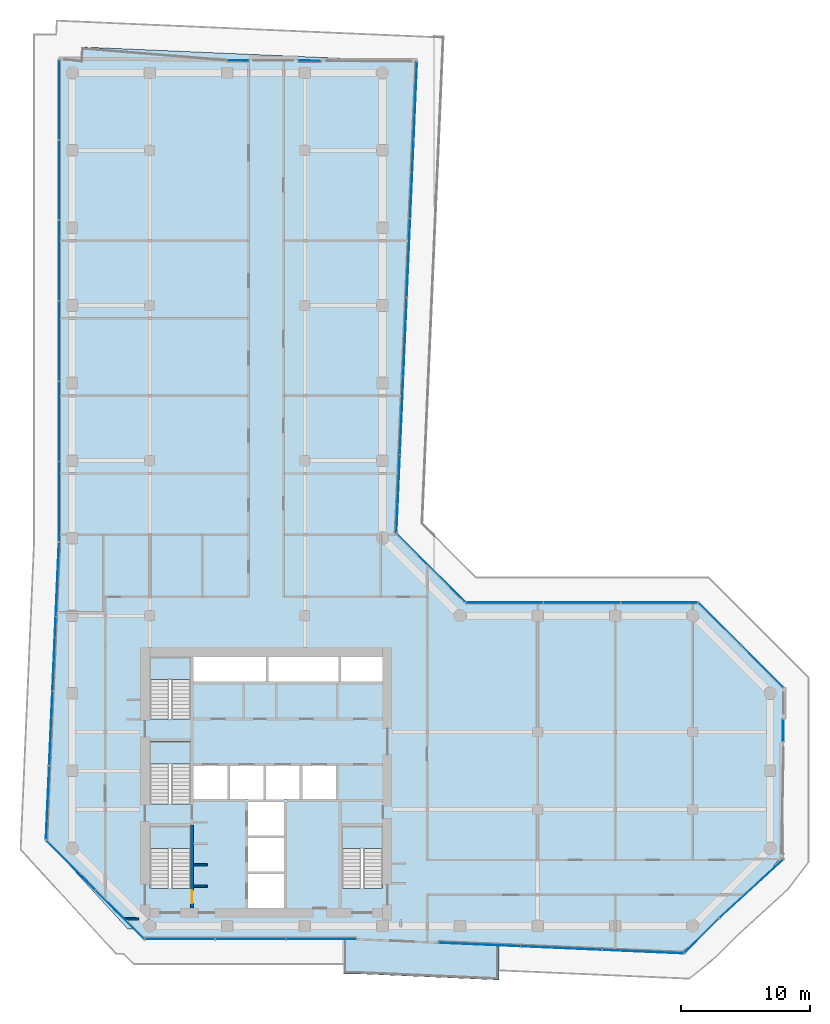
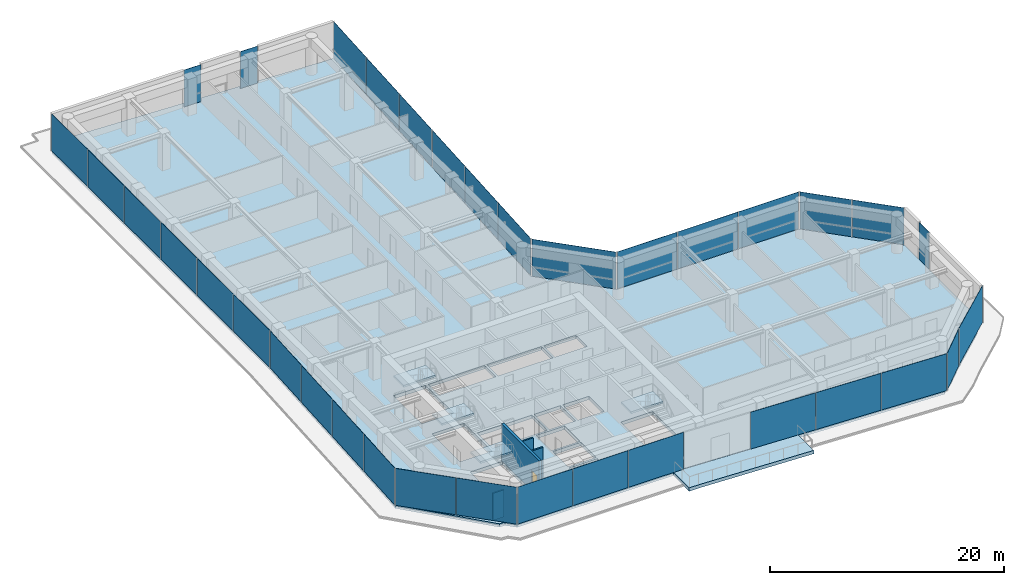
# One storey, part 19 of 25: 35 plates, 6 slabs, 4 walls, 1 door, 1 opening, 18 elements without a shape of their own.
"""IFC4 building model written with IfcOpenShell, lengths in metres."""

from ifc_helpers import new_model, si_unit, direction, frame, frame_2d, origin, origin_2d, place, context, subcontext, project, spatial, polyline, rectangle, outline, extrude, material, layer, layer_set, type_object, element, fill, aggregate, save


model = new_model("IFC4")

# Units and contexts
model_context = context("Model", 3, precision=1e-05, world=origin(), true_north=direction((0.0, 1.0)))
body_context = subcontext(model_context, "Body", "Model", "MODEL_VIEW")
ifc_project = project(units=[si_unit("LENGTHUNIT", "METRE"), si_unit("AREAUNIT", "SQUARE_METRE"), si_unit("VOLUMEUNIT", "CUBIC_METRE"), si_unit("PLANEANGLEUNIT", "RADIAN"), si_unit("MASSUNIT", "GRAM", prefix="KILO")], contexts=[model_context])

# Site, building, storey
site_placement = place(None, origin())
site = spatial("IfcSite", under=ifc_project, at=site_placement, CompositionType="ELEMENT")
building_placement = place(site_placement, origin())
building = spatial("IfcBuilding", under=site, at=building_placement, Name="Welwitschia Terrace Campus", CompositionType="ELEMENT")
storey_placement = place(building_placement, frame((0.0, 0.0, 121.39990234375)))
storey = spatial("IfcBuildingStorey", under=building, at=storey_placement, Name="L27", CompositionType="ELEMENT", Elevation=121.39990234375)

# Curtain wall, plates
ifc_material_1 = material(Name="Bronze anodised aluminium", Category="aluminium")
ifc_layer_1 = layer(ifc_material_1, 0.1201171875)
ifc_layer_set_1 = layer_set([ifc_layer_1], Name="Bronze anodised aluminium")
curtain_wall_type = type_object("IfcCurtainWallType", Name="Curtain wall CW2 tower 6000", PredefinedType="NOTDEFINED", material=ifc_layer_set_1)
curtain_wall_1_placement = place(storey_placement, origin())
curtain_wall_1 = element("IfcCurtainWall", 1, at=curtain_wall_1_placement, inside=storey, type_object=curtain_wall_type, Name="CW L27.0.0", PredefinedType="NOTDEFINED")
ifc_material_2 = material(Name="Tinted bronze-grey glass", Category="glass")
ifc_layer_2 = layer(ifc_material_2, 0.028076171875)
ifc_layer_set_2 = layer_set([ifc_layer_2], Name="Tinted bronze-grey glass")
plate_type = type_object("IfcPlateType", Name="Glass panel 28 tinted", PredefinedType="CURTAIN_PANEL", material=ifc_layer_set_2)
plate_1_placement = place(storey_placement, frame((-1.156494140625, 30.799072265625, 0.0), z_axis=(0.0, 0.0, 1.0), x_axis=(-0.043619387365, -0.999048221582, 0.0)))
plate_1 = element("IfcPlate", 2, at=plate_1_placement, type_object=plate_type, Name="Panel L27.0.0.0", PredefinedType="CURTAIN_PANEL", context=body_context, shape_type="SweptSolid", body=[
    extrude(rectangle(XDim=5.682373046875, YDim=0.028076171875, at=origin_2d()), origin(), (0.0, 0.0, 1.0), 3.85009765625),
])
plate_2_placement = place(storey_placement, frame((-1.40771484375, 25.047119140625, 0.0), z_axis=(0.0, 0.0, 1.0), x_axis=(-0.043619387365, -0.999048221582, 0.0)))
plate_2 = element("IfcPlate", 3, at=plate_2_placement, type_object=plate_type, Name="Panel L27.0.0.1", PredefinedType="CURTAIN_PANEL", context=body_context, shape_type="SweptSolid", body=[
    extrude(rectangle(XDim=5.71240234375, YDim=0.028076171875, at=origin_2d()), origin(), (0.0, 0.0, 1.0), 3.85009765625),
])
plate_3_placement = place(storey_placement, frame((-1.659423828125, 19.2802734375, 0.0), z_axis=(0.0, 0.0, 1.0), x_axis=(-0.043619387365, -0.999048221582, 0.0)))
plate_3 = element("IfcPlate", 4, at=plate_3_placement, type_object=plate_type, Name="Panel L27.0.0.2", PredefinedType="CURTAIN_PANEL", context=body_context, shape_type="SweptSolid", body=[
    extrude(rectangle(XDim=5.71240234375, YDim=0.028076171875, at=origin_2d()), origin(), (0.0, 0.0, 1.0), 3.85009765625),
])
plate_4_placement = place(storey_placement, frame((-1.91064453125, 13.5283203125, 0.0), z_axis=(0.0, 0.0, 1.0), x_axis=(-0.043619387365, -0.999048221582, 0.0)))
plate_4 = element("IfcPlate", 5, at=plate_4_placement, type_object=plate_type, Name="Panel L27.0.0.3", PredefinedType="CURTAIN_PANEL", context=body_context, shape_type="SweptSolid", body=[
    extrude(rectangle(XDim=5.682373046875, YDim=0.028076171875, at=origin_2d()), origin(), (0.0, 0.0, 1.0), 3.85009765625),
])
aggregate(curtain_wall_1, [plate_1, plate_2, plate_3, plate_4])

curtain_wall_2_placement = place(storey_placement, origin())
curtain_wall_2 = element("IfcCurtainWall", 6, at=curtain_wall_2_placement, inside=storey, type_object=curtain_wall_type, Name="CW L27.1.0", PredefinedType="NOTDEFINED")
plate_5_placement = place(storey_placement, frame((-0.1240234375, 8.704345703125, 0.0), z_axis=(0.0, 0.0, 1.0), x_axis=(0.70481161657, -0.7093945201, 0.0)))
plate_5 = element("IfcPlate", 7, at=plate_5_placement, type_object=plate_type, Name="Panel L27.1.0.0", PredefinedType="CURTAIN_PANEL", context=body_context, shape_type="SweptSolid", body=[
    extrude(rectangle(XDim=5.30908203125, YDim=0.028076171875, at=origin_2d()), origin(), (0.0, 0.0, 1.0), 3.85009765625),
])
plate_6_placement = place(storey_placement, frame((3.66015625, 4.895751953125, 0.0), z_axis=(0.0, 0.0, 1.0), x_axis=(0.70481161657, -0.7093945201, 0.0)))
plate_6 = element("IfcPlate", 8, at=plate_6_placement, type_object=plate_type, Name="Panel L27.1.0.1", PredefinedType="CURTAIN_PANEL", context=body_context, shape_type="SweptSolid", body=[
    extrude(rectangle(XDim=5.30908203125, YDim=0.028076171875, at=origin_2d()), origin(), (0.0, 0.0, 1.0), 3.85009765625),
])
aggregate(curtain_wall_2, [plate_5, plate_6])

curtain_wall_3_placement = place(storey_placement, origin())
curtain_wall_3 = element("IfcCurtainWall", 9, at=curtain_wall_3_placement, inside=storey, type_object=curtain_wall_type, Name="CW L27.2.0", PredefinedType="NOTDEFINED")
plate_7_placement = place(storey_placement, frame((8.329345703125, 2.969970703125, 0.0), z_axis=(0.0, 0.0, 1.0), x_axis=(1.0, 0.0, 0.0)))
plate_7 = element("IfcPlate", 10, at=plate_7_placement, type_object=plate_type, Name="Panel L27.2.0.0", PredefinedType="CURTAIN_PANEL", context=body_context, shape_type="SweptSolid", body=[
    extrude(rectangle(XDim=5.39208984375, YDim=0.028076171875, at=origin_2d()), origin(), (0.0, 0.0, 1.0), 3.85009765625),
])
plate_8_placement = place(storey_placement, frame((13.796630859375, 2.969970703125, 0.0), z_axis=(0.0, 0.0, 1.0), x_axis=(1.0, 0.0, 0.0)))
plate_8 = element("IfcPlate", 11, at=plate_8_placement, type_object=plate_type, Name="Panel L27.2.0.1", PredefinedType="CURTAIN_PANEL", context=body_context, shape_type="SweptSolid", body=[
    extrude(rectangle(XDim=5.422119140625, YDim=0.028076171875, at=origin_2d()), origin(), (0.0, 0.0, 1.0), 3.85009765625),
])
plate_9_placement = place(storey_placement, frame((19.263671875, 2.969970703125, 0.0), z_axis=(0.0, 0.0, 1.0), x_axis=(1.0, 0.0, 0.0)))
plate_9 = element("IfcPlate", 12, at=plate_9_placement, type_object=plate_type, Name="Panel L27.2.0.2", PredefinedType="CURTAIN_PANEL", context=body_context, shape_type="SweptSolid", body=[
    extrude(rectangle(XDim=5.39208984375, YDim=0.028076171875, at=origin_2d()), origin(), (0.0, 0.0, 1.0), 3.85009765625),
])
aggregate(curtain_wall_3, [plate_7, plate_8, plate_9])

curtain_wall_4_placement = place(storey_placement, origin())
curtain_wall_4 = element("IfcCurtainWall", 13, at=curtain_wall_4_placement, inside=storey, type_object=curtain_wall_type, Name="CW L27.3.1", PredefinedType="NOTDEFINED")
plate_10_placement = place(storey_placement, frame((31.52294921875, 2.55517578125, 0.0), z_axis=(0.0, 0.0, 1.0), x_axis=(0.999048221582, -0.043619387365, 0.0)))
plate_10 = element("IfcPlate", 14, at=plate_10_placement, type_object=plate_type, Name="Panel L27.3.1.0", PredefinedType="CURTAIN_PANEL", context=body_context, shape_type="SweptSolid", body=[
    extrude(rectangle(XDim=6.24169921875, YDim=0.028076171875, at=origin_2d()), origin(), (0.0, 0.0, 1.0), 3.85009765625),
])
plate_11_placement = place(storey_placement, frame((37.83349609375, 2.279541015625, 0.0), z_axis=(0.0, 0.0, 1.0), x_axis=(0.999048221582, -0.043619387365, 0.0)))
plate_11 = element("IfcPlate", 15, at=plate_11_placement, type_object=plate_type, Name="Panel L27.3.1.1", PredefinedType="CURTAIN_PANEL", context=body_context, shape_type="SweptSolid", body=[
    extrude(rectangle(XDim=6.271484375, YDim=0.028076171875, at=origin_2d()), origin(), (0.0, 0.0, 1.0), 3.85009765625),
])
plate_12_placement = place(storey_placement, frame((44.14404296875, 2.00390625, 0.0), z_axis=(0.0, 0.0, 1.0), x_axis=(0.999048221582, -0.043619387365, 0.0)))
plate_12 = element("IfcPlate", 16, at=plate_12_placement, type_object=plate_type, Name="Panel L27.3.1.2", PredefinedType="CURTAIN_PANEL", context=body_context, shape_type="SweptSolid", body=[
    extrude(rectangle(XDim=6.24169921875, YDim=0.028076171875, at=origin_2d()), origin(), (0.0, 0.0, 1.0), 3.85009765625),
])
aggregate(curtain_wall_4, [plate_10, plate_11, plate_12])

# Curtain wall, plate
curtain_wall_5_placement = place(storey_placement, origin())
curtain_wall_5 = element("IfcCurtainWall", 17, at=curtain_wall_5_placement, inside=storey, type_object=curtain_wall_type, Name="CW L27.4.0", PredefinedType="NOTDEFINED")
plate_13_placement = place(storey_placement, frame((48.6845703125, 3.22802734375, 0.0), z_axis=(0.0, 0.0, 1.0), x_axis=(0.707106781187, 0.707106781187, 0.0)))
plate_13 = element("IfcPlate", 18, at=plate_13_placement, type_object=plate_type, Name="Panel L27.4.0.0", PredefinedType="CURTAIN_PANEL", context=body_context, shape_type="SweptSolid", body=[
    extrude(rectangle(XDim=3.734375, YDim=0.028076171875, at=origin_2d()), origin(), (0.0, 0.0, 1.0), 3.85009765625),
])
aggregate(curtain_wall_5, [plate_13])

curtain_wall_6_placement = place(storey_placement, origin())
curtain_wall_6 = element("IfcCurtainWall", 19, at=curtain_wall_6_placement, inside=storey, type_object=curtain_wall_type, Name="CW L27.5.0", PredefinedType="NOTDEFINED")
plate_14_placement = place(storey_placement, frame((52.53857421875, 6.87353515625, 0.0), z_axis=(0.0, 0.0, 1.0), x_axis=(0.73727733681, 0.675590207616, 0.0)))
plate_14 = element("IfcPlate", 20, at=plate_14_placement, type_object=plate_type, Name="Panel L27.5.0.0", PredefinedType="CURTAIN_PANEL", context=body_context, shape_type="SweptSolid", body=[
    extrude(rectangle(XDim=6.63818359375, YDim=0.028076171875, at=origin_2d()), origin(), (0.0, 0.0, 1.0), 3.85009765625),
])
aggregate(curtain_wall_6, [plate_14])

curtain_wall_7_placement = place(storey_placement, origin())
curtain_wall_7 = element("IfcCurtainWall", 21, at=curtain_wall_7_placement, inside=storey, type_object=curtain_wall_type, Name="CW L27.6.S0", PredefinedType="NOTDEFINED")
plate_15_placement = place(storey_placement, frame((55.030029296875, 19.109130859375, 0.0), z_axis=(0.0, 0.0, 1.0), x_axis=(0.0, 1.0, 0.0)))
plate_15 = element("IfcPlate", 22, at=plate_15_placement, type_object=plate_type, Name="Panel L27.6.S0.0", PredefinedType="CURTAIN_PANEL", context=body_context, shape_type="SweptSolid", body=[
    extrude(rectangle(XDim=1.679931640625, YDim=0.028076171875, at=origin_2d()), origin(), (0.0, 0.0, 1.0), 3.85009765625),
])
aggregate(curtain_wall_7, [plate_15])

# Curtain wall, plates
curtain_wall_8_placement = place(storey_placement, origin())
curtain_wall_8 = element("IfcCurtainWall", 23, at=curtain_wall_8_placement, inside=storey, type_object=curtain_wall_type, Name="CW L27.7.0", PredefinedType="NOTDEFINED")
plate_16_placement = place(storey_placement, frame((53.36865234375, 24.088134765625, 0.0), z_axis=(0.0, 0.0, 1.0), x_axis=(-0.707106781187, 0.707106781187, 0.0)))
plate_16 = element("IfcPlate", 24, at=plate_16_placement, type_object=plate_type, Name="Panel L27.7.0.0", PredefinedType="CURTAIN_PANEL", context=body_context, shape_type="SweptSolid", body=[
    extrude(rectangle(XDim=4.579345703125, YDim=0.028076171875, at=origin_2d()), origin(), (0.0, 0.0, 1.0), 3.85009765625),
])
plate_17_placement = place(storey_placement, frame((50.088134765625, 27.36865234375, 0.0), z_axis=(0.0, 0.0, 1.0), x_axis=(-0.707106781187, 0.707106781187, 0.0)))
plate_17 = element("IfcPlate", 25, at=plate_17_placement, type_object=plate_type, Name="Panel L27.7.0.1", PredefinedType="CURTAIN_PANEL", context=body_context, shape_type="SweptSolid", body=[
    extrude(rectangle(XDim=4.579345703125, YDim=0.028076171875, at=origin_2d()), origin(), (0.0, 0.0, 1.0), 3.85009765625),
])
aggregate(curtain_wall_8, [plate_16, plate_17])

curtain_wall_9_placement = place(storey_placement, origin())
curtain_wall_9 = element("IfcCurtainWall", 26, at=curtain_wall_9_placement, inside=storey, type_object=curtain_wall_type, Name="CW L27.8.0", PredefinedType="NOTDEFINED")
plate_18_placement = place(storey_placement, frame((45.41162109375, 29.030029296875, 0.0), z_axis=(0.0, 0.0, 1.0), x_axis=(-1.0, 0.0, 0.0)))
plate_18 = element("IfcPlate", 27, at=plate_18_placement, type_object=plate_type, Name="Panel L27.8.0.0", PredefinedType="CURTAIN_PANEL", context=body_context, shape_type="SweptSolid", body=[
    extrude(rectangle(XDim=5.909912109375, YDim=0.028076171875, at=origin_2d()), origin(), (0.0, 0.0, 1.0), 3.85009765625),
])
plate_19_placement = place(storey_placement, frame((39.4267578125, 29.030029296875, 0.0), z_axis=(0.0, 0.0, 1.0), x_axis=(-1.0, 0.0, 0.0)))
plate_19 = element("IfcPlate", 28, at=plate_19_placement, type_object=plate_type, Name="Panel L27.8.0.1", PredefinedType="CURTAIN_PANEL", context=body_context, shape_type="SweptSolid", body=[
    extrude(rectangle(XDim=5.93994140625, YDim=0.028076171875, at=origin_2d()), origin(), (0.0, 0.0, 1.0), 3.85009765625),
])
plate_20_placement = place(storey_placement, frame((33.441650390625, 29.030029296875, 0.0), z_axis=(0.0, 0.0, 1.0), x_axis=(-1.0, 0.0, 0.0)))
plate_20 = element("IfcPlate", 29, at=plate_20_placement, type_object=plate_type, Name="Panel L27.8.0.2", PredefinedType="CURTAIN_PANEL", context=body_context, shape_type="SweptSolid", body=[
    extrude(rectangle(XDim=5.909912109375, YDim=0.028076171875, at=origin_2d()), origin(), (0.0, 0.0, 1.0), 3.85009765625),
])
aggregate(curtain_wall_9, [plate_18, plate_19, plate_20])

# Curtain wall, plate
curtain_wall_10_placement = place(storey_placement, origin())
curtain_wall_10 = element("IfcCurtainWall", 30, at=curtain_wall_10_placement, inside=storey, type_object=curtain_wall_type, Name="CW L27.9.0", PredefinedType="NOTDEFINED")
plate_21_placement = place(storey_placement, frame((27.75537109375, 31.701171875, 0.0), z_axis=(0.0, 0.0, 1.0), x_axis=(-0.707106781187, 0.707106781187, 0.0)))
plate_21 = element("IfcPlate", 31, at=plate_21_placement, type_object=plate_type, Name="Panel L27.9.0.0", PredefinedType="CURTAIN_PANEL", context=body_context, shape_type="SweptSolid", body=[
    extrude(rectangle(XDim=7.435302734375, YDim=0.028076171875, at=origin_2d()), origin(), (0.0, 0.0, 1.0), 3.85009765625),
])
aggregate(curtain_wall_10, [plate_21])

# Curtain wall, plates
curtain_wall_11_placement = place(storey_placement, origin())
curtain_wall_11 = element("IfcCurtainWall", 32, at=curtain_wall_11_placement, inside=storey, type_object=curtain_wall_type, Name="CW L27.10.0", PredefinedType="NOTDEFINED")
plate_22_placement = place(storey_placement, frame((25.2177734375, 37.4306640625, 0.0), z_axis=(0.0, 0.0, 1.0), x_axis=(0.043619387365, 0.999048221582, 0.0)))
plate_22 = element("IfcPlate", 33, at=plate_22_placement, type_object=plate_type, Name="Panel L27.10.0.0", PredefinedType="CURTAIN_PANEL", context=body_context, shape_type="SweptSolid", body=[
    extrude(rectangle(XDim=6.002197265625, YDim=0.028076171875, at=origin_2d()), origin(), (0.0, 0.0, 1.0), 3.85009765625),
])
plate_23_placement = place(storey_placement, frame((25.48291015625, 43.502197265625, 0.0), z_axis=(0.0, 0.0, 1.0), x_axis=(0.043619387365, 0.999048221582, 0.0)))
plate_23 = element("IfcPlate", 34, at=plate_23_placement, type_object=plate_type, Name="Panel L27.10.0.1", PredefinedType="CURTAIN_PANEL", context=body_context, shape_type="SweptSolid", body=[
    extrude(rectangle(XDim=6.0322265625, YDim=0.028076171875, at=origin_2d()), origin(), (0.0, 0.0, 1.0), 3.85009765625),
])
plate_24_placement = place(storey_placement, frame((25.74853515625, 49.588623046875, 0.0), z_axis=(0.0, 0.0, 1.0), x_axis=(0.043619387365, 0.999048221582, 0.0)))
plate_24 = element("IfcPlate", 35, at=plate_24_placement, type_object=plate_type, Name="Panel L27.10.0.2", PredefinedType="CURTAIN_PANEL", context=body_context, shape_type="SweptSolid", body=[
    extrude(rectangle(XDim=6.0322265625, YDim=0.028076171875, at=origin_2d()), origin(), (0.0, 0.0, 1.0), 3.85009765625),
])
plate_25_placement = place(storey_placement, frame((26.014404296875, 55.675048828125, 0.0), z_axis=(0.0, 0.0, 1.0), x_axis=(0.043619387365, 0.999048221582, 0.0)))
plate_25 = element("IfcPlate", 36, at=plate_25_placement, type_object=plate_type, Name="Panel L27.10.0.3", PredefinedType="CURTAIN_PANEL", context=body_context, shape_type="SweptSolid", body=[
    extrude(rectangle(XDim=6.0322265625, YDim=0.028076171875, at=origin_2d()), origin(), (0.0, 0.0, 1.0), 3.85009765625),
])
plate_26_placement = place(storey_placement, frame((26.280029296875, 61.76171875, 0.0), z_axis=(0.0, 0.0, 1.0), x_axis=(0.043619387365, 0.999048221582, 0.0)))
plate_26 = element("IfcPlate", 37, at=plate_26_placement, type_object=plate_type, Name="Panel L27.10.0.4", PredefinedType="CURTAIN_PANEL", context=body_context, shape_type="SweptSolid", body=[
    extrude(rectangle(XDim=6.0322265625, YDim=0.028076171875, at=origin_2d()), origin(), (0.0, 0.0, 1.0), 3.85009765625),
])
plate_27_placement = place(storey_placement, frame((26.545166015625, 67.833251953125, 0.0), z_axis=(0.0, 0.0, 1.0), x_axis=(0.043619387365, 0.999048221582, 0.0)))
plate_27 = element("IfcPlate", 38, at=plate_27_placement, type_object=plate_type, Name="Panel L27.10.0.5", PredefinedType="CURTAIN_PANEL", context=body_context, shape_type="SweptSolid", body=[
    extrude(rectangle(XDim=6.002197265625, YDim=0.028076171875, at=origin_2d()), origin(), (0.0, 0.0, 1.0), 3.85009765625),
])
aggregate(curtain_wall_11, [plate_22, plate_23, plate_24, plate_25, plate_26, plate_27])

# Curtain wall, plate
curtain_wall_12_placement = place(storey_placement, origin())
curtain_wall_12 = element("IfcCurtainWall", 39, at=curtain_wall_12_placement, inside=storey, type_object=curtain_wall_type, Name="CW L27.11.S0", PredefinedType="NOTDEFINED")
plate_28_placement = place(storey_placement, frame((18.3662109375, 70.935546875, 0.0), z_axis=(0.0, 0.0, 1.0), x_axis=(-0.999985881909, 0.005313754186, 0.0)))
plate_28 = element("IfcPlate", 40, at=plate_28_placement, type_object=plate_type, Name="Panel L27.11.S0.0", PredefinedType="CURTAIN_PANEL", context=body_context, shape_type="SweptSolid", body=[
    extrude(rectangle(XDim=1.679931640625, YDim=0.028076171875, at=origin_2d()), origin(), (0.0, 0.0, 1.0), 3.85009765625),
])
aggregate(curtain_wall_12, [plate_28])

curtain_wall_13_placement = place(storey_placement, origin())
curtain_wall_13 = element("IfcCurtainWall", 41, at=curtain_wall_13_placement, inside=storey, type_object=curtain_wall_type, Name="CW L27.11.S1", PredefinedType="NOTDEFINED")
plate_29_placement = place(storey_placement, frame((12.824462890625, 70.965087890625, 0.0), z_axis=(0.0, 0.0, 1.0), x_axis=(-0.999985881909, 0.005313754186, 0.0)))
plate_29 = element("IfcPlate", 42, at=plate_29_placement, type_object=plate_type, Name="Panel L27.11.S1.0", PredefinedType="CURTAIN_PANEL", context=body_context, shape_type="SweptSolid", body=[
    extrude(rectangle(XDim=1.679931640625, YDim=0.028076171875, at=origin_2d()), origin(), (0.0, 0.0, 1.0), 3.85009765625),
])
aggregate(curtain_wall_13, [plate_29])

# Curtain wall, plates
curtain_wall_14_placement = place(storey_placement, origin())
curtain_wall_14 = element("IfcCurtainWall", 43, at=curtain_wall_14_placement, inside=storey, type_object=curtain_wall_type, Name="CW L27.12.0", PredefinedType="NOTDEFINED")
plate_30_placement = place(storey_placement, frame((-1.030029296875, 67.911865234375, 0.0), z_axis=(0.0, 0.0, 1.0), x_axis=(0.0, -1.0, 0.0)))
plate_30 = element("IfcPlate", 44, at=plate_30_placement, type_object=plate_type, Name="Panel L27.12.0.0", PredefinedType="CURTAIN_PANEL", context=body_context, shape_type="SweptSolid", body=[
    extrude(rectangle(XDim=6.133544921875, YDim=0.028076171875, at=origin_2d()), origin(), (0.0, 0.0, 1.0), 3.85009765625),
])
plate_31_placement = place(storey_placement, frame((-1.030029296875, 61.703369140625, 0.0), z_axis=(0.0, 0.0, 1.0), x_axis=(0.0, -1.0, 0.0)))
plate_31 = element("IfcPlate", 45, at=plate_31_placement, type_object=plate_type, Name="Panel L27.12.0.1", PredefinedType="CURTAIN_PANEL", context=body_context, shape_type="SweptSolid", body=[
    extrude(rectangle(XDim=6.16357421875, YDim=0.028076171875, at=origin_2d()), origin(), (0.0, 0.0, 1.0), 3.85009765625),
])
plate_32_placement = place(storey_placement, frame((-1.030029296875, 55.479736328125, 0.0), z_axis=(0.0, 0.0, 1.0), x_axis=(0.0, -1.0, 0.0)))
plate_32 = element("IfcPlate", 46, at=plate_32_placement, type_object=plate_type, Name="Panel L27.12.0.2", PredefinedType="CURTAIN_PANEL", context=body_context, shape_type="SweptSolid", body=[
    extrude(rectangle(XDim=6.16357421875, YDim=0.028076171875, at=origin_2d()), origin(), (0.0, 0.0, 1.0), 3.85009765625),
])
plate_33_placement = place(storey_placement, frame((-1.030029296875, 49.25634765625, 0.0), z_axis=(0.0, 0.0, 1.0), x_axis=(0.0, -1.0, 0.0)))
plate_33 = element("IfcPlate", 47, at=plate_33_placement, type_object=plate_type, Name="Panel L27.12.0.3", PredefinedType="CURTAIN_PANEL", context=body_context, shape_type="SweptSolid", body=[
    extrude(rectangle(XDim=6.16357421875, YDim=0.028076171875, at=origin_2d()), origin(), (0.0, 0.0, 1.0), 3.85009765625),
])
plate_34_placement = place(storey_placement, frame((-1.030029296875, 43.03271484375, 0.0), z_axis=(0.0, 0.0, 1.0), x_axis=(0.0, -1.0, 0.0)))
plate_34 = element("IfcPlate", 48, at=plate_34_placement, type_object=plate_type, Name="Panel L27.12.0.4", PredefinedType="CURTAIN_PANEL", context=body_context, shape_type="SweptSolid", body=[
    extrude(rectangle(XDim=6.16357421875, YDim=0.028076171875, at=origin_2d()), origin(), (0.0, 0.0, 1.0), 3.85009765625),
])
plate_35_placement = place(storey_placement, frame((-1.030029296875, 36.82421875, 0.0), z_axis=(0.0, 0.0, 1.0), x_axis=(0.0, -1.0, 0.0)))
plate_35 = element("IfcPlate", 49, at=plate_35_placement, type_object=plate_type, Name="Panel L27.12.0.5", PredefinedType="CURTAIN_PANEL", context=body_context, shape_type="SweptSolid", body=[
    extrude(rectangle(XDim=6.133544921875, YDim=0.028076171875, at=origin_2d()), origin(), (0.0, 0.0, 1.0), 3.85009765625),
])
aggregate(curtain_wall_14, [plate_30, plate_31, plate_32, plate_33, plate_34, plate_35])

# Stair, slab
ifc_material_3 = material(Name="Concrete C40/50", Category="concrete")
stair_type = type_object("IfcStairType", Name="Stair 24R 175 W1500", PredefinedType="HALF_TURN_STAIR", material=ifc_material_3)
stair_1_placement = place(storey_placement, origin())
stair_1 = element("IfcStair", 50, at=stair_1_placement, inside=storey, type_object=stair_type, Name="L27 Exit stair S1", PredefinedType="HALF_TURN_STAIR")
ifc_material_4 = material(Name="Concrete C40/50", Category="concrete")
ifc_layer_3 = layer(ifc_material_4, 0.199951171875)
ifc_layer_set_3 = layer_set([ifc_layer_3], Name="Concrete C40/50")
slab_type_1 = type_object("IfcSlabType", Name="Stair landing RC", PredefinedType="LANDING", material=ifc_layer_set_3)
slab_1_placement = place(storey_placement, frame((0.0, 0.0, 1.900146484375)))
slab_1 = element("IfcSlab", 51, at=slab_1_placement, type_object=slab_type_1, Name="S1 landing 1", PredefinedType="LANDING", context=body_context, shape_type="SweptSolid", body=[
    extrude(outline(polyline([(9.14990234375, 9.97998046875), (9.14990234375, 11.699951171875), (6.0, 11.699951171875), (6.0, 9.97998046875), (9.14990234375, 9.97998046875)])), origin(), (0.0, 0.0, 1.0), 0.199951171875),
])
aggregate(stair_1, [slab_1])

stair_2_placement = place(storey_placement, origin())
stair_2 = element("IfcStair", 52, at=stair_2_placement, inside=storey, type_object=stair_type, Name="L27 Exit stair S3", PredefinedType="HALF_TURN_STAIR")
slab_2_placement = place(storey_placement, frame((0.0, 0.0, 1.900146484375)))
slab_2 = element("IfcSlab", 53, at=slab_2_placement, type_object=slab_type_1, Name="S3 landing 1", PredefinedType="LANDING", context=body_context, shape_type="SweptSolid", body=[
    extrude(outline(polyline([(9.14990234375, 16.530029296875), (9.14990234375, 18.25), (6.0, 18.25), (6.0, 16.530029296875), (9.14990234375, 16.530029296875)])), origin(), (0.0, 0.0, 1.0), 0.199951171875),
])
aggregate(stair_2, [slab_2])

stair_3_placement = place(storey_placement, origin())
stair_3 = element("IfcStair", 54, at=stair_3_placement, inside=storey, type_object=stair_type, Name="L27 Exit stair S4", PredefinedType="HALF_TURN_STAIR")
slab_3_placement = place(storey_placement, frame((0.0, 0.0, 1.900146484375)))
slab_3 = element("IfcSlab", 55, at=slab_3_placement, type_object=slab_type_1, Name="S4 landing 1", PredefinedType="LANDING", context=body_context, shape_type="SweptSolid", body=[
    extrude(outline(polyline([(9.14990234375, 23.080078125), (9.14990234375, 24.800048828125), (6.0, 24.800048828125), (6.0, 23.080078125), (9.14990234375, 23.080078125)])), origin(), (0.0, 0.0, 1.0), 0.199951171875),
])
aggregate(stair_3, [slab_3])

stair_4_placement = place(storey_placement, origin())
stair_4 = element("IfcStair", 56, at=stair_4_placement, inside=storey, type_object=stair_type, Name="L27 Exit stair S2", PredefinedType="HALF_TURN_STAIR")
slab_4_placement = place(storey_placement, frame((0.0, 0.0, 1.900146484375)))
slab_4 = element("IfcSlab", 57, at=slab_4_placement, type_object=slab_type_1, Name="S2 landing 1", PredefinedType="LANDING", context=body_context, shape_type="SweptSolid", body=[
    extrude(outline(polyline([(24.0, 9.97998046875), (24.0, 11.699951171875), (20.85009765625, 11.699951171875), (20.85009765625, 9.97998046875), (24.0, 9.97998046875)])), origin(), (0.0, 0.0, 1.0), 0.199951171875),
])
aggregate(stair_4, [slab_4])

# Slabs
ifc_material_5 = material(Name="Concrete C40/50", Category="concrete")
ifc_layer_4 = layer(ifc_material_5, 0.35009765625)
ifc_layer_set_4 = layer_set([ifc_layer_4], Name="Concrete C40/50")
slab_type_2 = type_object("IfcSlabType", Name="Suspended floor slab 350", PredefinedType="FLOOR", material=ifc_layer_set_4)
slab_5_placement = place(storey_placement, frame((0.0, 0.0, -0.349853515625)))
element("IfcSlab", 58, at=slab_5_placement, inside=storey, type_object=slab_type_2, Name="Floor slab L27", PredefinedType="FLOOR", context=body_context, shape_type="SweptSolid", body=[
    extrude(outline(polyline([(0.628662109375, 71.0), (0.672119140625, 71.996826171875), (26.6474609375, 70.86279296875), (25.0537109375, 34.3603515625), (30.414306640625, 29.0), (48.414306640625, 29.0), (55.0, 22.414306640625), (55.0, 9.585693359375), (53.940185546875, 8.198486328125), (50.026611328125, 4.6123046875), (48.414306640625, 3.0), (47.0732421875, 1.90625), (33.001953125, 2.5205078125), (33.002685546875, 2.535400390625), (22.02099609375, 3.014892578125), (22.020263671875, 3.014892578125), (20.998046875, 3.014892578125), (20.998046875, 3.0), (5.585693359375, 3.0), (4.83544921875, 3.750244140625), (4.28564453125, 3.7744140625), (-2.006591796875, 10.64111328125), (-1.0, 33.69677734375), (-1.0, 71.0), (0.628662109375, 71.0)]), holes=[polyline([(13.60009765625, 5.39990234375), (16.39990234375, 5.39990234375), (16.39990234375, 8.0), (13.60009765625, 8.0), (13.60009765625, 5.39990234375)]), polyline([(6.0, 11.699951171875), (6.0, 6.902099609375), (9.14990234375, 6.902099609375), (9.14990234375, 11.699951171875), (6.0, 11.699951171875)]), polyline([(9.39990234375, 16.39990234375), (9.39990234375, 13.800048828125), (12.0, 13.800048828125), (12.0, 16.39990234375), (9.39990234375, 16.39990234375)]), polyline([(12.199951171875, 16.39990234375), (12.199951171875, 13.800048828125), (14.800048828125, 13.800048828125), (14.800048828125, 16.39990234375), (12.199951171875, 16.39990234375)]), polyline([(6.0, 18.25), (6.0, 13.451904296875), (9.14990234375, 13.451904296875), (9.14990234375, 18.25), (6.0, 18.25)]), polyline([(6.0, 24.800048828125), (6.0, 20.001953125), (9.14990234375, 20.001953125), (9.14990234375, 24.800048828125), (6.0, 24.800048828125)]), polyline([(9.39990234375, 24.800048828125), (9.39990234375, 22.89990234375), (15.0, 22.89990234375), (15.0, 24.800048828125), (9.39990234375, 24.800048828125)]), polyline([(20.85009765625, 6.902099609375), (24.0, 6.902099609375), (24.0, 11.699951171875), (20.85009765625, 11.699951171875), (20.85009765625, 6.902099609375)]), polyline([(13.60009765625, 10.800048828125), (13.60009765625, 8.199951171875), (16.39990234375, 8.199951171875), (16.39990234375, 10.800048828125), (13.60009765625, 10.800048828125)]), polyline([(13.60009765625, 13.60009765625), (13.60009765625, 11.0), (16.39990234375, 11.0), (16.39990234375, 13.60009765625), (13.60009765625, 13.60009765625)]), polyline([(15.0, 16.39990234375), (15.0, 13.800048828125), (17.60009765625, 13.800048828125), (17.60009765625, 16.39990234375), (15.0, 16.39990234375)]), polyline([(17.800048828125, 16.39990234375), (17.800048828125, 13.800048828125), (20.39990234375, 13.800048828125), (20.39990234375, 16.39990234375), (17.800048828125, 16.39990234375)]), polyline([(15.199951171875, 24.800048828125), (15.199951171875, 22.89990234375), (20.60009765625, 22.89990234375), (20.60009765625, 24.800048828125), (15.199951171875, 24.800048828125)]), polyline([(20.800048828125, 24.800048828125), (20.800048828125, 22.89990234375), (24.0, 22.89990234375), (24.0, 24.800048828125), (20.800048828125, 24.800048828125)])]), origin(), (0.0, 0.0, 1.0), 0.349853515625),
])
ifc_material_6 = material(Name="Concrete C40/50", Category="concrete")
ifc_layer_5 = layer(ifc_material_6, 0.35009765625)
ifc_layer_set_5 = layer_set([ifc_layer_5], Name="Concrete C40/50")
slab_type_3 = type_object("IfcSlabType", Name="Terrace slab 350", PredefinedType="FLOOR", material=ifc_layer_set_5)
slab_6_placement = place(storey_placement, frame((0.0, 0.0, -0.349853515625)))
element("IfcSlab", 59, at=slab_6_placement, inside=storey, type_object=slab_type_3, Name="Terrace slab", PredefinedType="FLOOR", context=body_context, shape_type="SweptSolid", body=[
    extrude(outline(polyline([(33.0, -0.181884765625), (21.96142578125, 0.300048828125), (21.0, 0.300048828125), (21.0, 2.985107421875), (22.02001953125, 2.985107421875), (33.0, 2.505615234375), (33.0, -0.181884765625)])), origin(), (0.0, 0.0, 1.0), 0.349853515625),
])

# Walls
ifc_material_7 = material(Name="Concrete C50/60", Category="concrete")
ifc_layer_6 = layer(ifc_material_7, 0.14990234375)
ifc_layer_set_6 = layer_set([ifc_layer_6], Name="Concrete C50/60")
wall_type_1 = type_object("IfcWallType", Name="Core wall 150 Concrete C50/60", PredefinedType="SHEAR", material=ifc_layer_set_6)
for number, where, z_axis, x_axis, name in (
    (60, (9.39990234375, 7.074951171875, 0.0), (0.0, 0.0, 1.0), (1.0, 0.0, 0.0), "Core wall"),
    (61, (9.39990234375, 8.72509765625, 0.0), (0.0, 0.0, 1.0), (1.0, 0.0, 0.0), "Core wall"),
):
    element("IfcWall", number, at=place(storey_placement, frame(where, z_axis=z_axis, x_axis=x_axis)), inside=storey, type_object=wall_type_1, Name=name, PredefinedType="SHEAR", context=body_context, shape_type="SweptSolid", body=[
        extrude(rectangle(XDim=1.050048828125, YDim=0.14990234375, at=frame_2d((0.52490234375, 0.0))), origin(), (0.0, 0.0, 1.0), 3.85009765625),
    ])

# Wall, opening, door
ifc_material_8 = material(Name="Concrete C50/60", Category="concrete")
ifc_layer_7 = layer(ifc_material_8, 0.25)
ifc_layer_set_7 = layer_set([ifc_layer_7], Name="Concrete C50/60")
wall_type_2 = type_object("IfcWallType", Name="Core wall 250 Concrete C50/60", PredefinedType="SHEAR", material=ifc_layer_set_7)
wall_1_placement = place(storey_placement, frame((9.27490234375, 11.824951171875, 0.0), z_axis=(0.0, 0.0, 1.0), x_axis=(0.0, -1.0, 0.0)))
wall_1 = element("IfcWall", 62, at=wall_1_placement, inside=storey, type_object=wall_type_2, Name="Core wall", PredefinedType="SHEAR", context=body_context, shape_type="SweptSolid", body=[
    extrude(rectangle(XDim=6.425048828125, YDim=0.25, at=frame_2d((3.21240234375, 0.0))), origin(), (0.0, 0.0, 1.0), 3.85009765625),
])
opening_placement = place(wall_1_placement, frame((5.074951171875, 0.0, 0.0)))
opening = element("IfcOpeningElement", 63, at=opening_placement, cuts=wall_1, Name="Opening DS10", PredefinedType="OPENING", context=body_context, shape_type="SweptSolid", body=[
    extrude(rectangle(XDim=1.0, YDim=2.10009765625, at=frame_2d((0.5, 1.050048828125))), frame((0.0, 0.135009765625, 0.0), z_axis=(0.0, -1.0, 0.0), x_axis=(1.0, 0.0, 0.0)), (0.0, 0.0, 1.0), 0.27001953125),
])
ifc_material_9 = material(Name="Steel S275", Category="steel")
door_type = type_object("IfcDoorType", Name="Core door DS10", OperationType="SINGLE_SWING_LEFT", PredefinedType="DOOR", material=ifc_material_9)
door_placement = place(opening_placement, origin())
door = element("IfcDoor", 64, at=door_placement, inside=storey, type_object=door_type, Name="Door S1-FL", OperationType="SINGLE_SWING_RIGHT", OverallHeight=2.10009765625, OverallWidth=1.0, PredefinedType="DOOR", context=body_context, shape_type="SweptSolid", body=[
    extrude(rectangle(XDim=1.0, YDim=2.10009765625, at=frame_2d((0.5, 1.050048828125))), frame((0.0, 0.02490234375, 0.0), z_axis=(0.0, -1.0, 0.0), x_axis=(1.0, 0.0, 0.0)), (0.0, 0.0, 1.0), 0.050048828125),
])
fill(opening, door)

# Wall
ifc_material_10 = material(Name="Gypsum board on steel studs", Category="steel")
ifc_layer_8 = layer(ifc_material_10, 0.14990234375)
ifc_layer_set_8 = layer_set([ifc_layer_8], Name="Gypsum board on steel studs")
wall_type_3 = type_object("IfcWallType", Name="Corridor partition 150 EI 30", PredefinedType="PARTITIONING", material=ifc_layer_set_8)
wall_2_placement = place(storey_placement, frame((4.070068359375, 4.550048828125, 0.0), z_axis=(0.0, 0.0, 1.0), x_axis=(1.0, 0.0, 0.0)))
element("IfcWall", 65, at=wall_2_placement, inside=storey, type_object=wall_type_3, Name="Partition", PredefinedType="PARTITIONING", context=body_context, shape_type="SweptSolid", body=[
    extrude(rectangle(XDim=1.079833984375, YDim=0.14990234375, at=frame_2d((0.5400390625, 0.0))), origin(), (0.0, 0.0, 1.0), 2.830078125),
])

save(model, "model.ifc")
